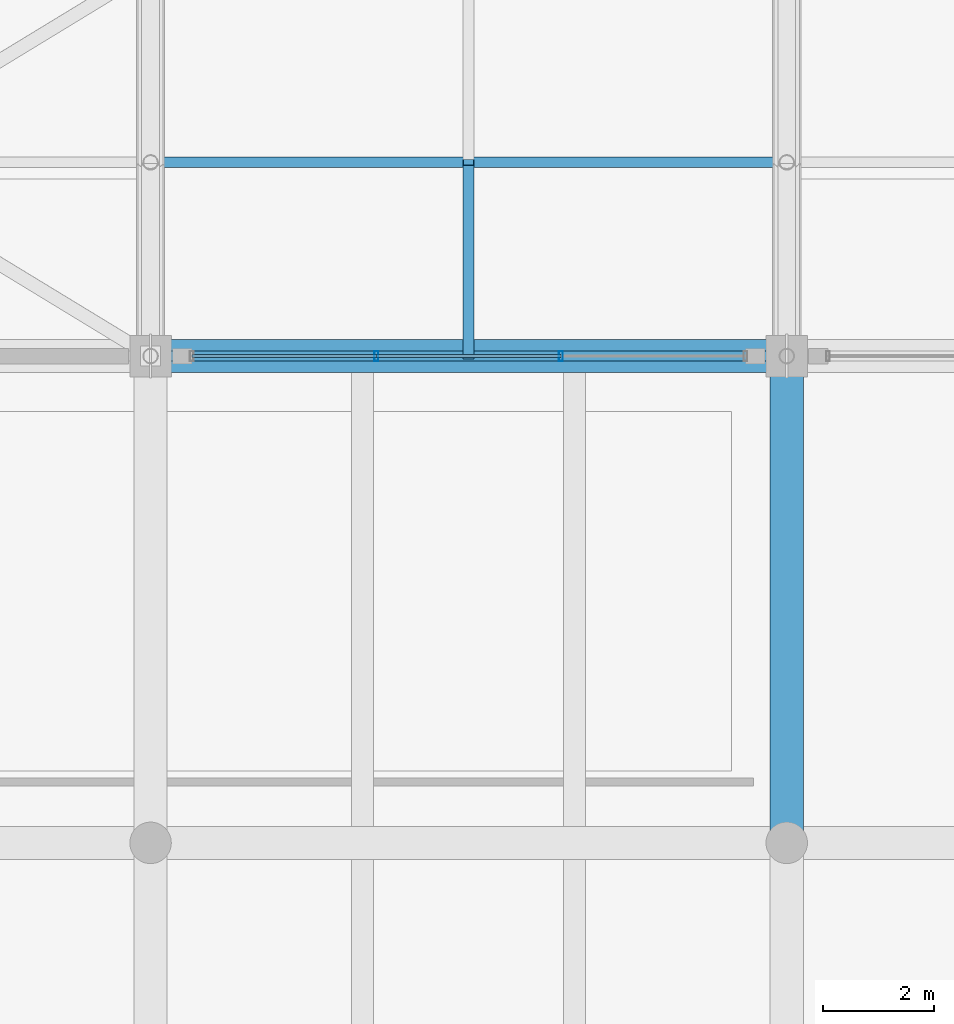
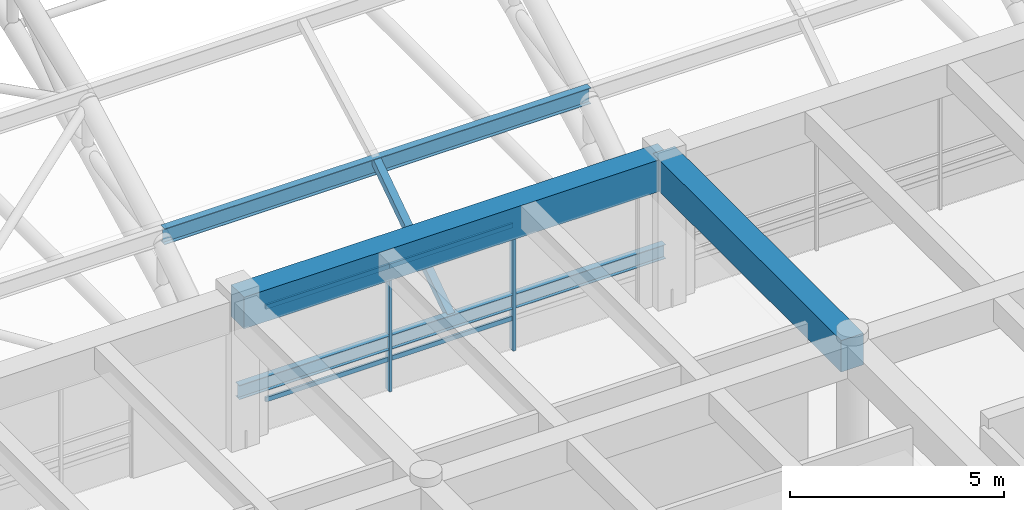
# One storey, part 46 of 154: 9 members, 2 beams, 1 element without a shape of its own.
"""IFC4 building model written with IfcOpenShell, lengths in metres."""

from ifc_helpers import new_model, si_unit, direction, frame, origin, origin_2d, place, context, subcontext, project, spatial, rectangle, hollow_rectangle, i_section, extrude, material, material_profile, profile_set, type_object, element, aggregate, save


model = new_model("IFC4")

# Units and contexts
model_context = context("Model", 3, precision=1e-05, world=origin(), true_north=direction((0.0, 1.0)))
body_context = subcontext(model_context, "Body", "Model", "MODEL_VIEW")
ifc_project = project(units=[si_unit("LENGTHUNIT", "METRE"), si_unit("AREAUNIT", "SQUARE_METRE"), si_unit("VOLUMEUNIT", "CUBIC_METRE"), si_unit("PLANEANGLEUNIT", "RADIAN"), si_unit("MASSUNIT", "GRAM", prefix="KILO")], contexts=[model_context])

# Site, building, storey
site_placement = place(None, origin())
site = spatial("IfcSite", under=ifc_project, at=site_placement, CompositionType="ELEMENT")
building_placement = place(site_placement, origin())
building = spatial("IfcBuilding", under=site, at=building_placement, Name="Ologun Quay Terminus", CompositionType="ELEMENT")
storey_placement = place(building_placement, frame((0.0, 0.0, 13.800048828125)))
storey = spatial("IfcBuildingStorey", under=building, at=storey_placement, Name="L03", CompositionType="ELEMENT", Elevation=13.800048828125)

# Curtain wall, members
ifc_material_1 = material(Name="Aluminium 6063-T6", Category="aluminium")
curtain_wall_type = type_object("IfcCurtainWallType", Name="South Pavilion Clerestory Curtain Wall 10700x4050", PredefinedType="USERDEFINED", material=ifc_material_1)
curtain_wall_placement = place(storey_placement, origin())
curtain_wall = element("IfcCurtainWall", 1, at=curtain_wall_placement, inside=storey, type_object=curtain_wall_type, Name="CW-07 Curtain Wall CW-L03-044", ObjectType="UNITISED CURTAIN WALL", PredefinedType="USERDEFINED")
ifc_material_2 = material(Name="Aluminium 6063-T6", Category="aluminium")
ifc_material_profile_1 = material_profile(ifc_material_2, hollow_rectangle(XDim=0.070068359375, YDim=0.179931640625, WallThickness=0.0048828125, at=origin_2d()), Name="ALU 180x70x5")
ifc_profile_set_1 = profile_set([ifc_material_profile_1], Name="Aluminium 6063-T6")
member_type_1 = type_object("IfcMemberType", Name="Concourse Clerestory Mullion 180x70", PredefinedType="MULLION", material=ifc_profile_set_1)
member_1_placement = place(storey_placement, frame((107.581787109375, 36.0, 0.0), z_axis=(0.0, 0.0, 1.0), x_axis=(1.0, 0.0, 0.0)))
member_1 = element("IfcMember", 2, at=member_1_placement, type_object=member_type_1, Name="CW-L03-044 Mullion 2", PredefinedType="MULLION", context=body_context, shape_type="SweptSolid", body=[
    extrude(hollow_rectangle(XDim=0.070068359375, YDim=0.179931640625, WallThickness=0.0048828125, at=origin_2d()), origin(), (0.0, 0.0, 1.0), 4.239990234375),
])
member_2_placement = place(storey_placement, frame((110.918212890625, 36.0, 0.0), z_axis=(0.0, 0.0, 1.0), x_axis=(1.0, 0.0, 0.0)))
member_2 = element("IfcMember", 3, at=member_2_placement, type_object=member_type_1, Name="CW-L03-044 Mullion 3", PredefinedType="MULLION", context=body_context, shape_type="SweptSolid", body=[
    extrude(hollow_rectangle(XDim=0.070068359375, YDim=0.179931640625, WallThickness=0.0048828125, at=origin_2d()), origin(), (0.0, 0.0, 1.0), 4.239990234375),
])
ifc_material_3 = material(Name="Aluminium 6063-T6", Category="aluminium")
ifc_material_profile_2 = material_profile(ifc_material_3, hollow_rectangle(XDim=0.06005859375, YDim=0.1298828125, WallThickness=0.00390625, at=origin_2d()), Name="ALU 130x60x4")
ifc_profile_set_2 = profile_set([ifc_material_profile_2], Name="Aluminium 6063-T6")
member_type_2 = type_object("IfcMemberType", Name="Concourse Clerestory Transom 130x60", PredefinedType="USERDEFINED", material=ifc_profile_set_2)
member_3_placement = place(storey_placement, frame((104.2451171875, 36.0, 0.89990234375), z_axis=(1.0, 0.0, 0.0), x_axis=(0.0, 1.0, 0.0)))
member_3 = element("IfcMember", 4, at=member_3_placement, type_object=member_type_2, Name="CW-L03-044 Transom B1-1", ObjectType="TRANSOM", PredefinedType="USERDEFINED", context=body_context, shape_type="SweptSolid", body=[
    extrude(hollow_rectangle(XDim=0.06005859375, YDim=0.1298828125, WallThickness=0.00390625, at=origin_2d()), origin(), (0.0, 0.0, 1.0), 3.336669921875),
])
member_4_placement = place(storey_placement, frame((104.2451171875, 36.0, 3.5400390625), z_axis=(1.0, 0.0, 0.0), x_axis=(0.0, 1.0, 0.0)))
member_4 = element("IfcMember", 5, at=member_4_placement, type_object=member_type_2, Name="CW-L03-044 Transom B1-2", ObjectType="TRANSOM", PredefinedType="USERDEFINED", context=body_context, shape_type="SweptSolid", body=[
    extrude(hollow_rectangle(XDim=0.06005859375, YDim=0.1298828125, WallThickness=0.00390625, at=origin_2d()), origin(), (0.0, 0.0, 1.0), 3.336669921875),
])
member_5_placement = place(storey_placement, frame((107.581787109375, 36.0, 0.89990234375), z_axis=(1.0, 0.0, 0.0), x_axis=(0.0, 1.0, 0.0)))
member_5 = element("IfcMember", 6, at=member_5_placement, type_object=member_type_2, Name="CW-L03-044 Transom B2-1", ObjectType="TRANSOM", PredefinedType="USERDEFINED", context=body_context, shape_type="SweptSolid", body=[
    extrude(hollow_rectangle(XDim=0.06005859375, YDim=0.1298828125, WallThickness=0.00390625, at=origin_2d()), origin(), (0.0, 0.0, 1.0), 3.33642578125),
])
member_6_placement = place(storey_placement, frame((107.581787109375, 36.0, 3.5400390625), z_axis=(1.0, 0.0, 0.0), x_axis=(0.0, 1.0, 0.0)))
member_6 = element("IfcMember", 7, at=member_6_placement, type_object=member_type_2, Name="CW-L03-044 Transom B2-2", ObjectType="TRANSOM", PredefinedType="USERDEFINED", context=body_context, shape_type="SweptSolid", body=[
    extrude(hollow_rectangle(XDim=0.06005859375, YDim=0.1298828125, WallThickness=0.00390625, at=origin_2d()), origin(), (0.0, 0.0, 1.0), 3.33642578125),
])
aggregate(curtain_wall, [member_1, member_2, member_3, member_4, member_5, member_6])

# Member
ifc_material_4 = material(Name="Steel S355", Category="steel")
ifc_material_profile_3 = material_profile(ifc_material_4, hollow_rectangle(XDim=0.199951171875, YDim=0.199951171875, WallThickness=0.008056640625, at=origin_2d()), Name="SHS 200x200x8")
ifc_profile_set_3 = profile_set([ifc_material_profile_3], Name="Steel S355")
member_type_3 = type_object("IfcMemberType", Name="Skylight Cross Transom Bar RHS150", PredefinedType="STRUT", material=ifc_profile_set_3)
member_7_placement = place(storey_placement, frame((109.25, 36.0, 1.50341796875), z_axis=(0.0, 0.830398014247, 0.55717065423), x_axis=(-1.0, 0.0, 0.0)))
element("IfcMember", 8, at=member_7_placement, inside=storey, type_object=member_type_3, Name="SK2 Eave Secondary Rafter B10-P1", PredefinedType="STRUT", context=body_context, shape_type="SweptSolid", body=[
    extrude(hollow_rectangle(XDim=0.199951171875, YDim=0.199951171875, WallThickness=0.008056640625, at=origin_2d()), origin(), (0.0, 0.0, 1.0), 4.21484375),
])

# Beams
ifc_material_5 = material(Name="Concrete C40/50", Category="concrete")
ifc_material_profile_4 = material_profile(ifc_material_5, rectangle(XDim=0.60009765625, YDim=0.89990234375, at=origin_2d()), Name="RC 600x900")
ifc_profile_set_4 = profile_set([ifc_material_profile_4], Name="Concrete C40/50")
beam_type = type_object("IfcBeamType", Name="Station Frame Girder 600x900", PredefinedType="BEAM", material=ifc_profile_set_4)
beam_1_placement = place(storey_placement, frame((103.5, 36.0, 3.800048828125), z_axis=(1.0, 0.0, 0.0), x_axis=(0.0, 1.0, 0.0)))
element("IfcBeam", 9, at=beam_1_placement, inside=storey, type_object=beam_type, Name="B3 Beam 10/E L03", PredefinedType="BEAM", context=body_context, shape_type="SweptSolid", body=[
    extrude(rectangle(XDim=0.60009765625, YDim=0.89990234375, at=origin_2d()), origin(), (0.0, 0.0, 1.0), 11.5),
])
beam_2_placement = place(storey_placement, frame((115.0, 27.199951171875, 3.800048828125), z_axis=(0.0, 1.0, 0.0), x_axis=(-1.0, 0.0, 0.0)))
element("IfcBeam", 10, at=beam_2_placement, inside=storey, type_object=beam_type, Name="B3 Beam 11/D L03", PredefinedType="BEAM", context=body_context, shape_type="SweptSolid", body=[
    extrude(rectangle(XDim=0.60009765625, YDim=0.89990234375, at=origin_2d()), origin(), (0.0, 0.0, 1.0), 8.800048828125),
])

# Members
ifc_material_6 = material(Name="Steel S355", Category="steel")
ifc_material_profile_5 = material_profile(ifc_material_6, i_section(OverallWidth=0.177978515625, OverallDepth=0.406494140625, WebThickness=0.0078125, FlangeThickness=0.0126953125, at=origin_2d()), Name="UKB 406x178x60")
ifc_profile_set_5 = profile_set([ifc_material_profile_5], Name="Steel S355")
member_type_4 = type_object("IfcMemberType", Name="Train Shed Eave & Ridge Purlin UKB406", PredefinedType="PURLIN", material=ifc_profile_set_5)
member_8_placement = place(storey_placement, frame((103.5, 36.0, 1.403076171875), z_axis=(1.0, 0.0, 0.0), x_axis=(0.0, 1.0, 0.0)))
element("IfcMember", 11, at=member_8_placement, inside=storey, type_object=member_type_4, Name="PR2 Roof Purlin B10-N0", PredefinedType="PURLIN", context=body_context, shape_type="SweptSolid", body=[
    extrude(i_section(OverallWidth=0.177978515625, OverallDepth=0.406494140625, WebThickness=0.0078125, FlangeThickness=0.0126953125, at=origin_2d()), origin(), (0.0, 0.0, 1.0), 11.5),
])
ifc_material_7 = material(Name="Steel S355", Category="steel")
ifc_material_profile_6 = material_profile(ifc_material_7, i_section(OverallWidth=0.1904296875, OverallDepth=0.45703125, WebThickness=0.009033203125, FlangeThickness=0.014404296875, at=origin_2d()), Name="UKB 457x191x74")
ifc_profile_set_6 = profile_set([ifc_material_profile_6], Name="Steel S355")
member_type_5 = type_object("IfcMemberType", Name="Train Shed Primary Roof Purlin UKB457", PredefinedType="PURLIN", material=ifc_profile_set_6)
member_9_placement = place(storey_placement, frame((103.5, 39.5, 3.726318359375), z_axis=(1.0, 0.0, 0.0), x_axis=(0.0, 1.0, 0.0)))
element("IfcMember", 12, at=member_9_placement, inside=storey, type_object=member_type_5, Name="PR1 Roof Purlin B10-N1", PredefinedType="PURLIN", context=body_context, shape_type="SweptSolid", body=[
    extrude(i_section(OverallWidth=0.1904296875, OverallDepth=0.45703125, WebThickness=0.009033203125, FlangeThickness=0.014404296875, at=origin_2d()), origin(), (0.0, 0.0, 1.0), 11.5),
])

save(model, "model.ifc")
